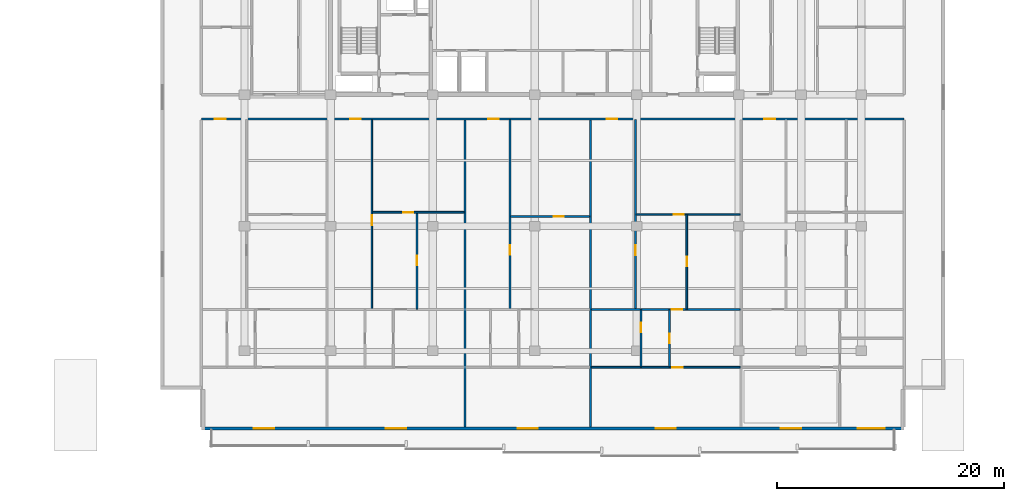
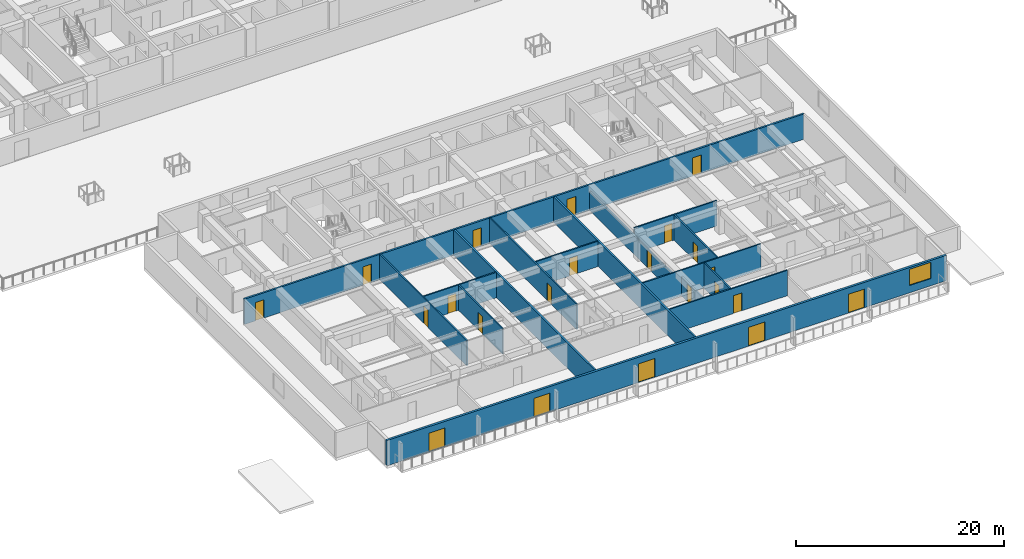
# One storey, part 5 of 24: 22 doors, 16 walls, 1 window, 23 openings.
"""IFC4 building model written with IfcOpenShell, lengths in metres."""

import ifcopenshell
import ifcopenshell.guid

model = None  # the IFC model being written
_history = None  # IfcOwnerHistory: only IFC2X3 demands one
_inside = {}  # id of a spatial element -> (the spatial element, [elements in it])
_under = {}  # id of a project, library or spatial element -> (it, [spatial elements below it])
_declared = {}  # id of a project -> (the project, [libraries it declares])
_typed = {}  # id of a type object -> (the type object, [elements of that type])
_made_of = {}  # id of a material, layer set ... -> (it, [elements and type objects made of it])


def new_model(schema):
    """Start an empty IFC model of exactly this schema.

    Asked for "IFC4X3", IfcOpenShell would pick the latest addendum, in which some entities
    have other attributes; the version numbers below select the first issue.
    IFC2X3 requires an IfcOwnerHistory on every rooted entity: one is made here for all.
    """
    global model, _history
    if schema == "IFC4X3":
        model = ifcopenshell.file(schema_version=(4, 3, 0, 0))
    else:
        model = ifcopenshell.file(schema=schema)
    _inside.clear()
    _under.clear()
    _declared.clear()
    _typed.clear()
    _made_of.clear()
    _history = None
    if model.schema == "IFC2X3":
        org = make("IfcOrganization", Name="unknown")
        user = make(
            "IfcPersonAndOrganization",
            ThePerson=make("IfcPerson", FamilyName="unknown"),
            TheOrganization=org,
        )
        app = make(
            "IfcApplication",
            ApplicationDeveloper=org,
            Version="unknown",
            ApplicationFullName="unknown",
            ApplicationIdentifier="unknown",
        )
        _history = make(
            "IfcOwnerHistory",
            OwningUser=user,
            OwningApplication=app,
            ChangeAction="ADDED",
            CreationDate=0,
        )
    return model


def make(cls, **values):
    """One entity of the class cls with the attributes given. An attribute that is None is left unset."""
    return model.create_entity(
        cls, **{name: value for name, value in values.items() if value is not None}
    )


def rooted(cls, **values):
    """An entity with a GlobalId (a new one), such as an element, a storey or a relation."""
    return make(cls, GlobalId=ifcopenshell.guid.new(), OwnerHistory=_history, **values)


def si_unit(unit_type, name, prefix=None):
    """IfcSIUnit, for example si_unit("LENGTHUNIT", "METRE", prefix="MILLI")."""
    return make("IfcSIUnit", UnitType=unit_type, Prefix=prefix, Name=name)


def assignment(units):
    """IfcUnitAssignment: the units of a project."""
    return None if units is None else make("IfcUnitAssignment", Units=units)


def point(xyz):
    """IfcCartesianPoint."""
    return None if xyz is None else make("IfcCartesianPoint", Coordinates=xyz)


def direction(xyz):
    """IfcDirection."""
    return None if xyz is None else make("IfcDirection", DirectionRatios=xyz)


def frame(location, z_axis=None, x_axis=None):
    """IfcAxis2Placement3D, a coordinate frame: its origin and axes. An axis left out is left unset."""
    return make(
        "IfcAxis2Placement3D",
        Location=point(location),
        Axis=direction(z_axis),
        RefDirection=direction(x_axis),
    )


def frame_2d(location, x_axis=None):
    """IfcAxis2Placement2D, a coordinate frame in the plane: its origin and x axis."""
    return make(
        "IfcAxis2Placement2D", Location=point(location), RefDirection=direction(x_axis)
    )


def origin():
    """The frame at (0, 0, 0) with its axes left unset."""
    return frame((0.0, 0.0, 0.0))


def place(relative_to, where):
    """IfcLocalPlacement: puts the frame where relative to a parent placement (None: the world)."""
    return make(
        "IfcLocalPlacement", PlacementRelTo=relative_to, RelativePlacement=where
    )


def context(
    kind, dimensions, precision=None, world=None, true_north=None, identifier=None
):
    """IfcGeometricRepresentationContext, for example the 3D "Model" context."""
    return make(
        "IfcGeometricRepresentationContext",
        ContextIdentifier=identifier,
        ContextType=kind,
        CoordinateSpaceDimension=dimensions,
        Precision=precision,
        WorldCoordinateSystem=world,
        TrueNorth=true_north,
    )


def subcontext(parent, identifier, kind, view, scale=None):
    """IfcGeometricRepresentationSubContext, for example "Body" below "Model"."""
    return make(
        "IfcGeometricRepresentationSubContext",
        ContextIdentifier=identifier,
        ContextType=kind,
        ParentContext=parent,
        TargetScale=scale,
        TargetView=view,
    )


def project(units=None, contexts=None):
    """IfcProject with its units and contexts."""
    return rooted(
        "IfcProject",
        Name="project",
        RepresentationContexts=contexts,
        UnitsInContext=assignment(units),
    )


def spatial(cls, under=None, at=None, **own):
    """A site, building, storey or space (cls), placed at a placement, below another one or the project."""
    s = rooted(cls, ObjectPlacement=at, **own)
    if under is not None:
        _under.setdefault(under.id(), (under, []))[1].append(s)
    return s


def profile(cls, at=None, kind="AREA", **sizes):
    """A parametric profile (cls). Its sizes go by their IFC names, for example OverallWidth=200.0."""
    return make(cls, ProfileType=kind, Position=at, **sizes)


def rectangle(**sizes):
    """IfcRectangleProfileDef."""
    return profile("IfcRectangleProfileDef", **sizes)


def extrude(swept, where, along, depth):
    """IfcExtrudedAreaSolid: the profile swept, set in the frame where, extruded along a direction by depth."""
    return make(
        "IfcExtrudedAreaSolid",
        SweptArea=swept,
        Position=where,
        ExtrudedDirection=direction(along),
        Depth=depth,
    )


def shape(context_of_items, identifier, shape_type, items):
    """IfcShapeRepresentation: the items that make up one representation, for example the "Body"."""
    return make(
        "IfcShapeRepresentation",
        ContextOfItems=context_of_items,
        RepresentationIdentifier=identifier,
        RepresentationType=shape_type,
        Items=items,
    )


def material(Name=None, Category=None):
    """IfcMaterial."""
    return make("IfcMaterial", Name=Name, Category=Category)


def layer(
    of_material, thickness, ventilated=None, Name=None, Category=None, Priority=None
):
    """IfcMaterialLayer: one layer of a wall or slab, of a material (None: an air gap)."""
    return make(
        "IfcMaterialLayer",
        Material=of_material,
        LayerThickness=thickness,
        IsVentilated=ventilated,
        Name=Name,
        Category=Category,
        Priority=Priority,
    )


def layer_set(layers, Name=None):
    """IfcMaterialLayerSet."""
    return make("IfcMaterialLayerSet", MaterialLayers=layers, LayerSetName=Name)


def made_of(thing, what):
    """Note that an element or type object is made of a material, layer set ...; save() writes the relation."""
    if what is not None:
        _made_of.setdefault(what.id(), (what, []))[1].append(thing)
    return thing


def type_object(cls, material=None, **own):
    """A type object (cls), such as IfcWallType, which elements share."""
    return made_of(rooted(cls, **own), material)


def element(
    cls,
    number,
    at=None,
    inside=None,
    cuts=None,
    type_object=None,
    material=None,
    context=None,
    identifier="Body",
    shape_type=None,
    held_by="IfcProductDefinitionShape",
    body=None,
    shapes=None,
    **own,
):
    """One element of the class cls, such as IfcWall. Its Tag is "e" and its number.

    at: its placement. inside: the storey or other place that contains it. cuts: it is an
    opening in that element (IfcRelVoidsElement). A single representation is given by context,
    identifier, shape_type and body (its items); several are given by shapes. held_by: the class
    of the entity that holds the representations. save() writes the other relations.
    """
    e = rooted(cls, Tag="e%d" % number, ObjectPlacement=at, **own)
    if body is not None:
        shapes = [shape(context, identifier, shape_type, body)]
    if shapes is not None:
        e.Representation = make(held_by, Representations=shapes)
    if inside is not None:
        _inside.setdefault(inside.id(), (inside, []))[1].append(e)
    if cuts is not None:
        rooted(
            "IfcRelVoidsElement", RelatingBuildingElement=cuts, RelatedOpeningElement=e
        )
    if type_object is not None:
        _typed.setdefault(type_object.id(), (type_object, []))[1].append(e)
    return made_of(e, material)


def fill(opening, filler):
    """IfcRelFillsElement: the door or window that sits in an opening."""
    return rooted(
        "IfcRelFillsElement",
        RelatingOpeningElement=opening,
        RelatedBuildingElement=filler,
    )


def aggregate(whole, parts):
    """IfcRelAggregates: a whole, such as a stair, and the parts it consists of."""
    return rooted("IfcRelAggregates", RelatingObject=whole, RelatedObjects=parts)


def save(model, path):
    """Write the relations noted so far, then the file.

    IfcRelAggregates (storeys below a building ...), IfcRelContainedInSpatialStructure (elements
    in a storey), IfcRelDefinesByType, IfcRelAssociatesMaterial and IfcRelDeclares: one each for
    every whole, place, type object, material and project.
    """
    for whole, parts in _under.values():
        aggregate(whole, parts)
    for where, things in _inside.values():
        rooted(
            "IfcRelContainedInSpatialStructure",
            RelatedElements=things,
            RelatingStructure=where,
        )
    for kind, things in _typed.values():
        rooted("IfcRelDefinesByType", RelatedObjects=things, RelatingType=kind)
    for what, things in _made_of.values():
        rooted("IfcRelAssociatesMaterial", RelatedObjects=things, RelatingMaterial=what)
    for by, libraries in _declared.values():
        rooted("IfcRelDeclares", RelatingContext=by, RelatedDefinitions=libraries)
    model.write(path)


model = new_model("IFC4")

# Units and contexts
model_context = context("Model", 3, precision=1e-05, world=origin(), true_north=direction((0.0, 1.0)))
body_context = subcontext(model_context, "Body", "Model", "MODEL_VIEW")
ifc_project = project(units=[si_unit("LENGTHUNIT", "METRE"), si_unit("AREAUNIT", "SQUARE_METRE"), si_unit("VOLUMEUNIT", "CUBIC_METRE"), si_unit("PLANEANGLEUNIT", "RADIAN"), si_unit("MASSUNIT", "GRAM", prefix="KILO")], contexts=[model_context])

# Site, building, storey
site_placement = place(None, origin())
site = spatial("IfcSite", under=ifc_project, at=site_placement, CompositionType="ELEMENT")
building_placement = place(site_placement, origin())
building = spatial("IfcBuilding", under=site, at=building_placement, Name="Korimba Cascade Residences", CompositionType="ELEMENT")
storey_placement = place(building_placement, frame((0.0, 0.0, 24.0)))
storey = spatial("IfcBuildingStorey", under=building, at=storey_placement, Name="L05", CompositionType="ELEMENT", Elevation=24.0)

# Wall, openings, doors, window
ifc_material_1 = material(Name="Precast concrete C40/50", Category="concrete")
ifc_layer_1 = layer(ifc_material_1, 0.25)
ifc_layer_set_1 = layer_set([ifc_layer_1], Name="Precast concrete C40/50")
wall_type_1 = type_object("IfcWallType", Name="EW-LOG-250", PredefinedType="STANDARD", material=ifc_layer_set_1)
wall_1_placement = place(storey_placement, frame((70.699951171875, -11.050048828125, 0.0), z_axis=(0.0, 0.0, 1.0), x_axis=(1.0, 0.0, 0.0)))
wall_1 = element("IfcWall", 1, at=wall_1_placement, inside=storey, type_object=wall_type_1, Name="L05 T2 Perimeter Stone Wall E00", PredefinedType="STANDARD", context=body_context, shape_type="SweptSolid", body=[
    extrude(rectangle(XDim=62.0, YDim=0.25, at=frame_2d((31.0, 0.0))), origin(), (0.0, 0.0, 1.0), 2.969970703125),
])
opening_1_placement = place(wall_1_placement, frame((4.6357421875, 0.0, 0.0)))
opening_1 = element("IfcOpeningElement", 2, at=opening_1_placement, cuts=wall_1, Name="Opening D-LG1", PredefinedType="OPENING", context=body_context, shape_type="SweptSolid", body=[
    extrude(rectangle(XDim=1.800048828125, YDim=2.199951171875, at=frame_2d((0.89990234375, 1.10009765625))), frame((0.0, 0.135009765625, 0.0), z_axis=(0.0, -1.0, 0.0), x_axis=(1.0, 0.0, 0.0)), (0.0, 0.0, 1.0), 0.27001953125),
])
opening_2_placement = place(wall_1_placement, frame((16.2607421875, 0.0, 0.0)))
opening_2 = element("IfcOpeningElement", 3, at=opening_2_placement, cuts=wall_1, Name="Opening D-LG1", PredefinedType="OPENING", context=body_context, shape_type="SweptSolid", body=[
    extrude(rectangle(XDim=1.800048828125, YDim=2.199951171875, at=frame_2d((0.89990234375, 1.10009765625))), frame((0.0, 0.135009765625, 0.0), z_axis=(0.0, -1.0, 0.0), x_axis=(1.0, 0.0, 0.0)), (0.0, 0.0, 1.0), 0.27001953125),
])
opening_3_placement = place(wall_1_placement, frame((27.8857421875, 0.0, 0.0)))
opening_3 = element("IfcOpeningElement", 4, at=opening_3_placement, cuts=wall_1, Name="Opening D-LG1", PredefinedType="OPENING", context=body_context, shape_type="SweptSolid", body=[
    extrude(rectangle(XDim=1.800048828125, YDim=2.199951171875, at=frame_2d((0.89990234375, 1.10009765625))), frame((0.0, 0.135009765625, 0.0), z_axis=(0.0, -1.0, 0.0), x_axis=(1.0, 0.0, 0.0)), (0.0, 0.0, 1.0), 0.27001953125),
])
opening_4_placement = place(wall_1_placement, frame((40.064208984375, 0.0, 0.0)))
opening_4 = element("IfcOpeningElement", 5, at=opening_4_placement, cuts=wall_1, Name="Opening D-LG1", PredefinedType="OPENING", context=body_context, shape_type="SweptSolid", body=[
    extrude(rectangle(XDim=1.800048828125, YDim=2.199951171875, at=frame_2d((0.89990234375, 1.10009765625))), frame((0.0, 0.135009765625, 0.0), z_axis=(0.0, -1.0, 0.0), x_axis=(1.0, 0.0, 0.0)), (0.0, 0.0, 1.0), 0.27001953125),
])
opening_5_placement = place(wall_1_placement, frame((51.12353515625, 0.0, 0.0)))
opening_5 = element("IfcOpeningElement", 6, at=opening_5_placement, cuts=wall_1, Name="Opening D-LG1", PredefinedType="OPENING", context=body_context, shape_type="SweptSolid", body=[
    extrude(rectangle(XDim=1.800048828125, YDim=2.199951171875, at=frame_2d((0.89990234375, 1.10009765625))), frame((0.0, 0.135009765625, 0.0), z_axis=(0.0, -1.0, 0.0), x_axis=(1.0, 0.0, 0.0)), (0.0, 0.0, 1.0), 0.27001953125),
])
opening_6_placement = place(wall_1_placement, frame((57.89990234375, 0.0, 0.85009765625)))
opening_6 = element("IfcOpeningElement", 7, at=opening_6_placement, cuts=wall_1, Name="Opening W-01", PredefinedType="OPENING", context=body_context, shape_type="SweptSolid", body=[
    extrude(rectangle(XDim=2.39990234375, YDim=1.89990234375, at=frame_2d((1.199951171875, 0.949951171875))), frame((0.0, 0.135009765625, 0.0), z_axis=(0.0, -1.0, 0.0), x_axis=(1.0, 0.0, 0.0)), (0.0, 0.0, 1.0), 0.27001953125),
])
ifc_material_2 = material(Name="Glazed Aluminium Loggia Sliding Door", Category="aluminium")
door_type_1 = type_object("IfcDoorType", Name="DR-EXT-LOG", OperationType="NOTDEFINED", PredefinedType="DOOR", material=ifc_material_2)
door_1_placement = place(opening_1_placement, origin())
door_1 = element("IfcDoor", 8, at=door_1_placement, inside=storey, type_object=door_type_1, Name="L05 T2 Loggia Sliding Door 3", OperationType="SLIDING_TO_RIGHT", OverallHeight=2.199951171875, OverallWidth=1.800048828125, PredefinedType="DOOR", context=body_context, shape_type="SweptSolid", body=[
    extrude(rectangle(XDim=1.800048828125, YDim=2.199951171875, at=frame_2d((0.89990234375, 1.10009765625))), frame((0.0, 0.02490234375, 0.0), z_axis=(0.0, -1.0, 0.0), x_axis=(1.0, 0.0, 0.0)), (0.0, 0.0, 1.0), 0.050048828125),
])
fill(opening_1, door_1)
door_2_placement = place(opening_2_placement, origin())
door_2 = element("IfcDoor", 9, at=door_2_placement, inside=storey, type_object=door_type_1, Name="L05 T2 Loggia Sliding Door 4", OperationType="SLIDING_TO_RIGHT", OverallHeight=2.199951171875, OverallWidth=1.800048828125, PredefinedType="DOOR", context=body_context, shape_type="SweptSolid", body=[
    extrude(rectangle(XDim=1.800048828125, YDim=2.199951171875, at=frame_2d((0.89990234375, 1.10009765625))), frame((0.0, 0.02490234375, 0.0), z_axis=(0.0, -1.0, 0.0), x_axis=(1.0, 0.0, 0.0)), (0.0, 0.0, 1.0), 0.050048828125),
])
fill(opening_2, door_2)
door_3_placement = place(opening_3_placement, origin())
door_3 = element("IfcDoor", 10, at=door_3_placement, inside=storey, type_object=door_type_1, Name="L05 T2 Loggia Sliding Door 5", OperationType="SLIDING_TO_RIGHT", OverallHeight=2.199951171875, OverallWidth=1.800048828125, PredefinedType="DOOR", context=body_context, shape_type="SweptSolid", body=[
    extrude(rectangle(XDim=1.800048828125, YDim=2.199951171875, at=frame_2d((0.89990234375, 1.10009765625))), frame((0.0, 0.02490234375, 0.0), z_axis=(0.0, -1.0, 0.0), x_axis=(1.0, 0.0, 0.0)), (0.0, 0.0, 1.0), 0.050048828125),
])
fill(opening_3, door_3)
door_4_placement = place(opening_4_placement, origin())
door_4 = element("IfcDoor", 11, at=door_4_placement, inside=storey, type_object=door_type_1, Name="L05 T2 Loggia Sliding Door 6", OperationType="SLIDING_TO_RIGHT", OverallHeight=2.199951171875, OverallWidth=1.800048828125, PredefinedType="DOOR", context=body_context, shape_type="SweptSolid", body=[
    extrude(rectangle(XDim=1.800048828125, YDim=2.199951171875, at=frame_2d((0.89990234375, 1.10009765625))), frame((0.0, 0.02490234375, 0.0), z_axis=(0.0, -1.0, 0.0), x_axis=(1.0, 0.0, 0.0)), (0.0, 0.0, 1.0), 0.050048828125),
])
fill(opening_4, door_4)
door_5_placement = place(opening_5_placement, origin())
door_5 = element("IfcDoor", 12, at=door_5_placement, inside=storey, type_object=door_type_1, Name="L05 T2 Loggia Sliding Door 7", OperationType="SLIDING_TO_RIGHT", OverallHeight=2.199951171875, OverallWidth=1.800048828125, PredefinedType="DOOR", context=body_context, shape_type="SweptSolid", body=[
    extrude(rectangle(XDim=1.800048828125, YDim=2.199951171875, at=frame_2d((0.89990234375, 1.10009765625))), frame((0.0, 0.02490234375, 0.0), z_axis=(0.0, -1.0, 0.0), x_axis=(1.0, 0.0, 0.0)), (0.0, 0.0, 1.0), 0.050048828125),
])
fill(opening_5, door_5)
ifc_material_3 = material(Name="Double-Glazed Aluminium Window", Category="aluminium")
window_type = type_object("IfcWindowType", Name="WIN-RES-2400", PartitioningType="DOUBLE_PANEL_VERTICAL", PredefinedType="WINDOW", material=ifc_material_3)
window_placement = place(opening_6_placement, origin())
window = element("IfcWindow", 13, at=window_placement, inside=storey, type_object=window_type, Name="L05 T2 South Facade Window 8", OverallHeight=1.89990234375, OverallWidth=2.39990234375, PartitioningType="DOUBLE_PANEL_VERTICAL", PredefinedType="WINDOW", context=body_context, shape_type="SweptSolid", body=[
    extrude(rectangle(XDim=2.39990234375, YDim=1.89990234375, at=frame_2d((1.199951171875, 0.949951171875))), frame((0.0, 0.030029296875, 0.0), z_axis=(0.0, -1.0, 0.0), x_axis=(1.0, 0.0, 0.0)), (0.0, 0.0, 1.0), 0.06005859375),
])
fill(opening_6, window)

# Walls
ifc_layer_2 = layer(ifc_material_1, 0.199951171875)
ifc_layer_set_2 = layer_set([ifc_layer_2], Name="Precast concrete C40/50")
wall_type_2 = type_object("IfcWallType", Name="WAL-IT-200", PredefinedType="PARTITIONING", material=ifc_layer_set_2)
for number, where, z_axis, x_axis, name in (
    (14, (93.949951171875, -10.89990234375, 0.0), (0.0, 0.0, 1.0), (0.0, 1.0, 0.0), "L05 Partition Wall WAL-L05-T2-DEM-2"),
    (15, (105.021484375, -10.89990234375, 0.0), (0.0, 0.0, 1.0), (0.0, 1.0, 0.0), "L05 Partition Wall WAL-L05-T2-DEM-3"),
):
    element("IfcWall", number, at=place(storey_placement, frame(where, z_axis=z_axis, x_axis=x_axis)), inside=storey, type_object=wall_type_2, Name=name, PredefinedType="PARTITIONING", context=body_context, shape_type="SweptSolid", body=[
        extrude(rectangle(XDim=27.06982421875, YDim=0.199951171875, at=frame_2d((13.534912109375, 0.0))), origin(), (0.0, 0.0, 1.0), 2.969970703125),
    ])

# Wall, openings, doors
wall_2_placement = place(storey_placement, frame((70.699951171875, 16.25, 0.0), z_axis=(0.0, 0.0, 1.0), x_axis=(1.0, 0.0, 0.0)))
wall_2 = element("IfcWall", 16, at=wall_2_placement, inside=storey, type_object=wall_type_2, Name="L05 Partition Wall WAL-L05-T2-CORS", PredefinedType="PARTITIONING", context=body_context, shape_type="SweptSolid", body=[
    extrude(rectangle(XDim=62.0, YDim=0.199951171875, at=frame_2d((31.0, 0.0))), origin(), (0.0, 0.0, 1.0), 2.969970703125),
])
opening_7_placement = place(wall_2_placement, frame((1.18603515625, 0.0, 0.0)))
opening_7 = element("IfcOpeningElement", 17, at=opening_7_placement, cuts=wall_2, Name="Opening D-UN1", PredefinedType="OPENING", context=body_context, shape_type="SweptSolid", body=[
    extrude(rectangle(XDim=0.949951171875, YDim=2.14990234375, at=frame_2d((0.47509765625, 1.074951171875))), frame((0.0, 0.10986328125, 0.0), z_axis=(0.0, -1.0, 0.0), x_axis=(1.0, 0.0, 0.0)), (0.0, 0.0, 1.0), 0.219970703125),
])
opening_8_placement = place(wall_2_placement, frame((13.116455078125, 0.0, 0.0)))
opening_8 = element("IfcOpeningElement", 18, at=opening_8_placement, cuts=wall_2, Name="Opening D-UN1", PredefinedType="OPENING", context=body_context, shape_type="SweptSolid", body=[
    extrude(rectangle(XDim=0.949951171875, YDim=2.14990234375, at=frame_2d((0.47509765625, 1.074951171875))), frame((0.0, 0.10986328125, 0.0), z_axis=(0.0, -1.0, 0.0), x_axis=(1.0, 0.0, 0.0)), (0.0, 0.0, 1.0), 0.219970703125),
])
opening_9_placement = place(wall_2_placement, frame((25.294921875, 0.0, 0.0)))
opening_9 = element("IfcOpeningElement", 19, at=opening_9_placement, cuts=wall_2, Name="Opening D-UN1", PredefinedType="OPENING", context=body_context, shape_type="SweptSolid", body=[
    extrude(rectangle(XDim=0.949951171875, YDim=2.14990234375, at=frame_2d((0.47509765625, 1.074951171875))), frame((0.0, 0.10986328125, 0.0), z_axis=(0.0, -1.0, 0.0), x_axis=(1.0, 0.0, 0.0)), (0.0, 0.0, 1.0), 0.219970703125),
])
opening_10_placement = place(wall_2_placement, frame((35.747314453125, 0.0, 0.0)))
opening_10 = element("IfcOpeningElement", 20, at=opening_10_placement, cuts=wall_2, Name="Opening D-UN1", PredefinedType="OPENING", context=body_context, shape_type="SweptSolid", body=[
    extrude(rectangle(XDim=0.949951171875, YDim=2.14990234375, at=frame_2d((0.47509765625, 1.074951171875))), frame((0.0, 0.10986328125, 0.0), z_axis=(0.0, -1.0, 0.0), x_axis=(1.0, 0.0, 0.0)), (0.0, 0.0, 1.0), 0.219970703125),
])
opening_11_placement = place(wall_2_placement, frame((49.652099609375, 0.0, 0.0)))
opening_11 = element("IfcOpeningElement", 21, at=opening_11_placement, cuts=wall_2, Name="Opening D-UN1", PredefinedType="OPENING", context=body_context, shape_type="SweptSolid", body=[
    extrude(rectangle(XDim=0.949951171875, YDim=2.14990234375, at=frame_2d((0.47509765625, 1.074951171875))), frame((0.0, 0.10986328125, 0.0), z_axis=(0.0, -1.0, 0.0), x_axis=(1.0, 0.0, 0.0)), (0.0, 0.0, 1.0), 0.219970703125),
])
ifc_material_4 = material(Name="Fire-Rated Hardwood Apartment Entrance Door", Category="wood")
door_type_2 = type_object("IfcDoorType", Name="DR-FD60-950", OperationType="NOTDEFINED", PredefinedType="DOOR", material=ifc_material_4)
door_6_placement = place(opening_7_placement, origin())
door_6 = element("IfcDoor", 22, at=door_6_placement, inside=storey, type_object=door_type_2, Name="Unit L05-T2-U01 Entrance Door", OperationType="SINGLE_SWING_LEFT", OverallHeight=2.14990234375, OverallWidth=0.949951171875, PredefinedType="DOOR", context=body_context, shape_type="SweptSolid", body=[
    extrude(rectangle(XDim=0.949951171875, YDim=2.14990234375, at=frame_2d((0.47509765625, 1.074951171875))), frame((0.0, 0.02490234375, 0.0), z_axis=(0.0, -1.0, 0.0), x_axis=(1.0, 0.0, 0.0)), (0.0, 0.0, 1.0), 0.050048828125),
])
fill(opening_7, door_6)
door_7_placement = place(opening_8_placement, origin())
door_7 = element("IfcDoor", 23, at=door_7_placement, inside=storey, type_object=door_type_2, Name="Unit L05-T2-U02 Entrance Door", OperationType="SINGLE_SWING_RIGHT", OverallHeight=2.14990234375, OverallWidth=0.949951171875, PredefinedType="DOOR", context=body_context, shape_type="SweptSolid", body=[
    extrude(rectangle(XDim=0.949951171875, YDim=2.14990234375, at=frame_2d((0.47509765625, 1.074951171875))), frame((0.0, 0.02490234375, 0.0), z_axis=(0.0, -1.0, 0.0), x_axis=(1.0, 0.0, 0.0)), (0.0, 0.0, 1.0), 0.050048828125),
])
fill(opening_8, door_7)
door_8_placement = place(opening_9_placement, origin())
door_8 = element("IfcDoor", 24, at=door_8_placement, inside=storey, type_object=door_type_2, Name="Unit L05-T2-U03 Entrance Door", OperationType="SINGLE_SWING_LEFT", OverallHeight=2.14990234375, OverallWidth=0.949951171875, PredefinedType="DOOR", context=body_context, shape_type="SweptSolid", body=[
    extrude(rectangle(XDim=0.949951171875, YDim=2.14990234375, at=frame_2d((0.47509765625, 1.074951171875))), frame((0.0, 0.02490234375, 0.0), z_axis=(0.0, -1.0, 0.0), x_axis=(1.0, 0.0, 0.0)), (0.0, 0.0, 1.0), 0.050048828125),
])
fill(opening_9, door_8)
door_9_placement = place(opening_10_placement, origin())
door_9 = element("IfcDoor", 25, at=door_9_placement, inside=storey, type_object=door_type_2, Name="Unit L05-T2-U04 Entrance Door", OperationType="SINGLE_SWING_RIGHT", OverallHeight=2.14990234375, OverallWidth=0.949951171875, PredefinedType="DOOR", context=body_context, shape_type="SweptSolid", body=[
    extrude(rectangle(XDim=0.949951171875, YDim=2.14990234375, at=frame_2d((0.47509765625, 1.074951171875))), frame((0.0, 0.02490234375, 0.0), z_axis=(0.0, -1.0, 0.0), x_axis=(1.0, 0.0, 0.0)), (0.0, 0.0, 1.0), 0.050048828125),
])
fill(opening_10, door_9)
door_10_placement = place(opening_11_placement, origin())
door_10 = element("IfcDoor", 26, at=door_10_placement, inside=storey, type_object=door_type_2, Name="Unit L05-T2-U05 Entrance Door", OperationType="SINGLE_SWING_LEFT", OverallHeight=2.14990234375, OverallWidth=0.949951171875, PredefinedType="DOOR", context=body_context, shape_type="SweptSolid", body=[
    extrude(rectangle(XDim=0.949951171875, YDim=2.14990234375, at=frame_2d((0.47509765625, 1.074951171875))), frame((0.0, 0.02490234375, 0.0), z_axis=(0.0, -1.0, 0.0), x_axis=(1.0, 0.0, 0.0)), (0.0, 0.0, 1.0), 0.050048828125),
])
fill(opening_11, door_10)

# Wall, opening, door
ifc_material_5 = material(Name="Insulated Acoustic Stud Partition", Category="gypsum")
ifc_layer_3 = layer(ifc_material_5, 0.14990234375)
ifc_layer_set_3 = layer_set([ifc_layer_3], Name="Insulated Acoustic Stud Partition")
wall_type_3 = type_object("IfcWallType", Name="WAL-PART-150", PredefinedType="PARTITIONING", material=ifc_layer_set_3)
wall_3_placement = place(storey_placement, frame((89.7158203125, -0.510009765625, 0.0), z_axis=(0.0, 0.0, 1.0), x_axis=(0.0, 1.0, 0.0)))
wall_3 = element("IfcWall", 27, at=wall_3_placement, inside=storey, type_object=wall_type_3, Name="L05 Partition Wall WAL-L05-T2-U02-FMV", PredefinedType="PARTITIONING", context=body_context, shape_type="SweptSolid", body=[
    extrude(rectangle(XDim=8.530029296875, YDim=0.14990234375, at=frame_2d((4.26513671875, 0.0))), origin(), (0.0, 0.0, 1.0), 2.969970703125),
])
opening_12_placement = place(wall_3_placement, frame((3.844970703125, 0.0, 0.0)))
opening_12 = element("IfcOpeningElement", 28, at=opening_12_placement, cuts=wall_3, Name="Opening D-BT1", PredefinedType="OPENING", context=body_context, shape_type="SweptSolid", body=[
    extrude(rectangle(XDim=0.840087890625, YDim=2.0400390625, at=frame_2d((0.419921875, 1.02001953125))), frame((0.0, 0.0849609375, 0.0), z_axis=(0.0, -1.0, 0.0), x_axis=(1.0, 0.0, 0.0)), (0.0, 0.0, 1.0), 0.169921875),
])
ifc_material_6 = material(Name="Moisture-Resistant Bathroom Timber Door", Category="wood")
door_type_3 = type_object("IfcDoorType", Name="DR-INT-850", OperationType="NOTDEFINED", PredefinedType="DOOR", material=ifc_material_6)
door_11_placement = place(opening_12_placement, origin())
door_11 = element("IfcDoor", 29, at=door_11_placement, inside=storey, type_object=door_type_3, Name="L05-T2-U02 Wardrobe Door", OperationType="SINGLE_SWING_RIGHT", OverallHeight=2.0400390625, OverallWidth=0.840087890625, PredefinedType="DOOR", context=body_context, shape_type="SweptSolid", body=[
    extrude(rectangle(XDim=0.840087890625, YDim=2.0400390625, at=frame_2d((0.419921875, 1.02001953125))), frame((0.0, 0.02490234375, 0.0), z_axis=(0.0, -1.0, 0.0), x_axis=(1.0, 0.0, 0.0)), (0.0, 0.0, 1.0), 0.050048828125),
])
fill(opening_12, door_11)

wall_4_placement = place(storey_placement, frame((85.801513671875, 8.02001953125, 0.0), z_axis=(0.0, 0.0, 1.0), x_axis=(1.0, 0.0, 0.0)))
wall_4 = element("IfcWall", 30, at=wall_4_placement, inside=storey, type_object=wall_type_3, Name="L05 Partition Wall WAL-L05-T2-U02-FMH", PredefinedType="PARTITIONING", context=body_context, shape_type="SweptSolid", body=[
    extrude(rectangle(XDim=8.068603515625, YDim=0.14990234375, at=frame_2d((4.0341796875, 0.0))), origin(), (0.0, 0.0, 1.0), 2.969970703125),
])
opening_13_placement = place(wall_4_placement, frame((2.7158203125, 0.0, 0.0)))
opening_13 = element("IfcOpeningElement", 31, at=opening_13_placement, cuts=wall_4, Name="Opening D-IN2", PredefinedType="OPENING", context=body_context, shape_type="SweptSolid", body=[
    extrude(rectangle(XDim=0.8798828125, YDim=2.06005859375, at=frame_2d((0.43994140625, 1.030029296875))), frame((0.0, 0.0849609375, 0.0), z_axis=(0.0, -1.0, 0.0), x_axis=(1.0, 0.0, 0.0)), (0.0, 0.0, 1.0), 0.169921875),
])
ifc_material_7 = material(Name="Acoustic Timber Bedroom Door", Category="wood")
door_type_4 = type_object("IfcDoorType", Name="DR-INT-880", OperationType="NOTDEFINED", PredefinedType="DOOR", material=ifc_material_7)
door_12_placement = place(opening_13_placement, origin())
door_12 = element("IfcDoor", 32, at=door_12_placement, inside=storey, type_object=door_type_4, Name="L05-T2-U02 Library Salon Door", OperationType="SINGLE_SWING_LEFT", OverallHeight=2.06005859375, OverallWidth=0.8798828125, PredefinedType="DOOR", context=body_context, shape_type="SweptSolid", body=[
    extrude(rectangle(XDim=0.8798828125, YDim=2.06005859375, at=frame_2d((0.43994140625, 1.030029296875))), frame((0.0, 0.02490234375, 0.0), z_axis=(0.0, -1.0, 0.0), x_axis=(1.0, 0.0, 0.0)), (0.0, 0.0, 1.0), 0.050048828125),
])
fill(opening_13, door_12)

wall_5_placement = place(storey_placement, frame((85.741455078125, -0.510009765625, 0.0), z_axis=(0.0, 0.0, 1.0), x_axis=(0.0, 1.0, 0.0)))
wall_5 = element("IfcWall", 33, at=wall_5_placement, inside=storey, type_object=wall_type_3, Name="L05 Partition Wall WAL-L05-T2-U02-FV", PredefinedType="PARTITIONING", context=body_context, shape_type="SweptSolid", body=[
    extrude(rectangle(XDim=16.699951171875, YDim=0.14990234375, at=frame_2d((8.35009765625, 0.0))), origin(), (0.0, 0.0, 1.0), 2.969970703125),
])
opening_14_placement = place(wall_5_placement, frame((7.39990234375, 0.0, 0.0)))
opening_14 = element("IfcOpeningElement", 34, at=opening_14_placement, cuts=wall_5, Name="Opening D-IN2", PredefinedType="OPENING", context=body_context, shape_type="SweptSolid", body=[
    extrude(rectangle(XDim=0.8798828125, YDim=2.06005859375, at=frame_2d((0.43994140625, 1.030029296875))), frame((0.0, 0.0849609375, 0.0), z_axis=(0.0, -1.0, 0.0), x_axis=(1.0, 0.0, 0.0)), (0.0, 0.0, 1.0), 0.169921875),
])
door_13_placement = place(opening_14_placement, origin())
door_13 = element("IfcDoor", 35, at=door_13_placement, inside=storey, type_object=door_type_4, Name="L05-T2-U02 Media Lounge Door", OperationType="SINGLE_SWING_RIGHT", OverallHeight=2.06005859375, OverallWidth=0.8798828125, PredefinedType="DOOR", context=body_context, shape_type="SweptSolid", body=[
    extrude(rectangle(XDim=0.8798828125, YDim=2.06005859375, at=frame_2d((0.43994140625, 1.030029296875))), frame((0.0, 0.02490234375, 0.0), z_axis=(0.0, -1.0, 0.0), x_axis=(1.0, 0.0, 0.0)), (0.0, 0.0, 1.0), 0.050048828125),
])
fill(opening_14, door_13)

wall_6_placement = place(storey_placement, frame((97.97998046875, 7.659912109375, 0.0), z_axis=(0.0, 0.0, 1.0), x_axis=(1.0, 0.0, 0.0)))
wall_6 = element("IfcWall", 36, at=wall_6_placement, inside=storey, type_object=wall_type_3, Name="L05 Partition Wall WAL-L05-T2-U03-FMH", PredefinedType="PARTITIONING", context=body_context, shape_type="SweptSolid", body=[
    extrude(rectangle(XDim=6.96142578125, YDim=0.14990234375, at=frame_2d((3.480712890625, 0.0))), origin(), (0.0, 0.0, 1.0), 2.969970703125),
])
opening_15_placement = place(wall_6_placement, frame((3.794189453125, 0.0, 0.0)))
opening_15 = element("IfcOpeningElement", 37, at=opening_15_placement, cuts=wall_6, Name="Opening D-IN2", PredefinedType="OPENING", context=body_context, shape_type="SweptSolid", body=[
    extrude(rectangle(XDim=0.8798828125, YDim=2.06005859375, at=frame_2d((0.43994140625, 1.030029296875))), frame((0.0, 0.0849609375, 0.0), z_axis=(0.0, -1.0, 0.0), x_axis=(1.0, 0.0, 0.0)), (0.0, 0.0, 1.0), 0.169921875),
])
door_14_placement = place(opening_15_placement, origin())
door_14 = element("IfcDoor", 38, at=door_14_placement, inside=storey, type_object=door_type_4, Name="L05-T2-U03 Library Salon Door", OperationType="SINGLE_SWING_LEFT", OverallHeight=2.06005859375, OverallWidth=0.8798828125, PredefinedType="DOOR", context=body_context, shape_type="SweptSolid", body=[
    extrude(rectangle(XDim=0.8798828125, YDim=2.06005859375, at=frame_2d((0.43994140625, 1.030029296875))), frame((0.0, 0.02490234375, 0.0), z_axis=(0.0, -1.0, 0.0), x_axis=(1.0, 0.0, 0.0)), (0.0, 0.0, 1.0), 0.050048828125),
])
fill(opening_15, door_14)

wall_7_placement = place(storey_placement, frame((97.919921875, -0.510009765625, 0.0), z_axis=(0.0, 0.0, 1.0), x_axis=(0.0, 1.0, 0.0)))
wall_7 = element("IfcWall", 39, at=wall_7_placement, inside=storey, type_object=wall_type_3, Name="L05 Partition Wall WAL-L05-T2-U03-FV", PredefinedType="PARTITIONING", context=body_context, shape_type="SweptSolid", body=[
    extrude(rectangle(XDim=16.699951171875, YDim=0.14990234375, at=frame_2d((8.35009765625, 0.0))), origin(), (0.0, 0.0, 1.0), 2.969970703125),
])
opening_16_placement = place(wall_7_placement, frame((4.765380859375, 0.0, 0.0)))
opening_16 = element("IfcOpeningElement", 40, at=opening_16_placement, cuts=wall_7, Name="Opening D-IN2", PredefinedType="OPENING", context=body_context, shape_type="SweptSolid", body=[
    extrude(rectangle(XDim=0.8798828125, YDim=2.06005859375, at=frame_2d((0.43994140625, 1.030029296875))), frame((0.0, 0.0849609375, 0.0), z_axis=(0.0, -1.0, 0.0), x_axis=(1.0, 0.0, 0.0)), (0.0, 0.0, 1.0), 0.169921875),
])
door_15_placement = place(opening_16_placement, origin())
door_15 = element("IfcDoor", 41, at=door_15_placement, inside=storey, type_object=door_type_4, Name="L05-T2-U03 Media Lounge Door", OperationType="SINGLE_SWING_RIGHT", OverallHeight=2.06005859375, OverallWidth=0.8798828125, PredefinedType="DOOR", context=body_context, shape_type="SweptSolid", body=[
    extrude(rectangle(XDim=0.8798828125, YDim=2.06005859375, at=frame_2d((0.43994140625, 1.030029296875))), frame((0.0, 0.02490234375, 0.0), z_axis=(0.0, -1.0, 0.0), x_axis=(1.0, 0.0, 0.0)), (0.0, 0.0, 1.0), 0.050048828125),
])
fill(opening_16, door_15)

wall_8_placement = place(storey_placement, frame((113.519287109375, -0.510009765625, 0.0), z_axis=(0.0, 0.0, 1.0), x_axis=(0.0, 1.0, 0.0)))
wall_8 = element("IfcWall", 42, at=wall_8_placement, inside=storey, type_object=wall_type_3, Name="L05 Partition Wall WAL-L05-T2-U04-FMV", PredefinedType="PARTITIONING", context=body_context, shape_type="SweptSolid", body=[
    extrude(rectangle(XDim=8.35009765625, YDim=0.14990234375, at=frame_2d((4.175048828125, 0.0))), origin(), (0.0, 0.0, 1.0), 2.969970703125),
])
opening_17_placement = place(wall_8_placement, frame((3.7548828125, 0.0, 0.0)))
opening_17 = element("IfcOpeningElement", 43, at=opening_17_placement, cuts=wall_8, Name="Opening D-BT1", PredefinedType="OPENING", context=body_context, shape_type="SweptSolid", body=[
    extrude(rectangle(XDim=0.840087890625, YDim=2.0400390625, at=frame_2d((0.419921875, 1.02001953125))), frame((0.0, 0.0849609375, 0.0), z_axis=(0.0, -1.0, 0.0), x_axis=(1.0, 0.0, 0.0)), (0.0, 0.0, 1.0), 0.169921875),
])
door_16_placement = place(opening_17_placement, origin())
door_16 = element("IfcDoor", 44, at=door_16_placement, inside=storey, type_object=door_type_3, Name="L05-T2-U04 Wardrobe Door", OperationType="SINGLE_SWING_LEFT", OverallHeight=2.0400390625, OverallWidth=0.840087890625, PredefinedType="DOOR", context=body_context, shape_type="SweptSolid", body=[
    extrude(rectangle(XDim=0.840087890625, YDim=2.0400390625, at=frame_2d((0.419921875, 1.02001953125))), frame((0.0, 0.02490234375, 0.0), z_axis=(0.0, -1.0, 0.0), x_axis=(1.0, 0.0, 0.0)), (0.0, 0.0, 1.0), 0.050048828125),
])
fill(opening_17, door_16)

wall_9_placement = place(storey_placement, frame((109.051513671875, 7.840087890625, 0.0), z_axis=(0.0, 0.0, 1.0), x_axis=(1.0, 0.0, 0.0)))
wall_9 = element("IfcWall", 45, at=wall_9_placement, inside=storey, type_object=wall_type_3, Name="L05 Partition Wall WAL-L05-T2-U04-FMH", PredefinedType="PARTITIONING", context=body_context, shape_type="SweptSolid", body=[
    extrude(rectangle(XDim=9.175537109375, YDim=0.14990234375, at=frame_2d((4.587890625, 0.0))), origin(), (0.0, 0.0, 1.0), 2.969970703125),
])
opening_18_placement = place(wall_9_placement, frame((3.307373046875, 0.0, 0.0)))
opening_18 = element("IfcOpeningElement", 46, at=opening_18_placement, cuts=wall_9, Name="Opening D-IN2", PredefinedType="OPENING", context=body_context, shape_type="SweptSolid", body=[
    extrude(rectangle(XDim=0.8798828125, YDim=2.06005859375, at=frame_2d((0.43994140625, 1.030029296875))), frame((0.0, 0.0849609375, 0.0), z_axis=(0.0, -1.0, 0.0), x_axis=(1.0, 0.0, 0.0)), (0.0, 0.0, 1.0), 0.169921875),
])
door_17_placement = place(opening_18_placement, origin())
door_17 = element("IfcDoor", 47, at=door_17_placement, inside=storey, type_object=door_type_4, Name="L05-T2-U04 Library Salon Door", OperationType="SINGLE_SWING_RIGHT", OverallHeight=2.06005859375, OverallWidth=0.8798828125, PredefinedType="DOOR", context=body_context, shape_type="SweptSolid", body=[
    extrude(rectangle(XDim=0.8798828125, YDim=2.06005859375, at=frame_2d((0.43994140625, 1.030029296875))), frame((0.0, 0.02490234375, 0.0), z_axis=(0.0, -1.0, 0.0), x_axis=(1.0, 0.0, 0.0)), (0.0, 0.0, 1.0), 0.050048828125),
])
fill(opening_18, door_17)

wall_10_placement = place(storey_placement, frame((108.991455078125, -0.510009765625, 0.0), z_axis=(0.0, 0.0, 1.0), x_axis=(0.0, 1.0, 0.0)))
wall_10 = element("IfcWall", 48, at=wall_10_placement, inside=storey, type_object=wall_type_3, Name="L05 Partition Wall WAL-L05-T2-U04-FV", PredefinedType="PARTITIONING", context=body_context, shape_type="SweptSolid", body=[
    extrude(rectangle(XDim=16.699951171875, YDim=0.14990234375, at=frame_2d((8.35009765625, 0.0))), origin(), (0.0, 0.0, 1.0), 2.219970703125),
])
opening_19_placement = place(wall_10_placement, frame((4.746826171875, 0.0, 0.0)))
opening_19 = element("IfcOpeningElement", 49, at=opening_19_placement, cuts=wall_10, Name="Opening D-IN2", PredefinedType="OPENING", context=body_context, shape_type="SweptSolid", body=[
    extrude(rectangle(XDim=0.8798828125, YDim=2.06005859375, at=frame_2d((0.43994140625, 1.030029296875))), frame((0.0, 0.0849609375, 0.0), z_axis=(0.0, -1.0, 0.0), x_axis=(1.0, 0.0, 0.0)), (0.0, 0.0, 1.0), 0.169921875),
])
door_18_placement = place(opening_19_placement, origin())
door_18 = element("IfcDoor", 50, at=door_18_placement, inside=storey, type_object=door_type_4, Name="L05-T2-U04 Media Lounge Door", OperationType="SINGLE_SWING_LEFT", OverallHeight=2.06005859375, OverallWidth=0.8798828125, PredefinedType="DOOR", context=body_context, shape_type="SweptSolid", body=[
    extrude(rectangle(XDim=0.8798828125, YDim=2.06005859375, at=frame_2d((0.43994140625, 1.030029296875))), frame((0.0, 0.02490234375, 0.0), z_axis=(0.0, -1.0, 0.0), x_axis=(1.0, 0.0, 0.0)), (0.0, 0.0, 1.0), 0.050048828125),
])
fill(opening_19, door_18)

wall_11_placement = place(storey_placement, frame((109.487060546875, -5.590087890625, 0.0), z_axis=(0.0, 0.0, 1.0), x_axis=(0.0, 1.0, 0.0)))
wall_11 = element("IfcWall", 51, at=wall_11_placement, inside=storey, type_object=wall_type_3, Name="L05 Partition Wall WAL-L05-T2-U04-CLS", PredefinedType="PARTITIONING", context=body_context, shape_type="SweptSolid", body=[
    extrude(rectangle(XDim=5.0, YDim=0.14990234375, at=frame_2d((2.5, 0.0))), origin(), (0.0, 0.0, 1.0), 2.219970703125),
])
opening_20_placement = place(wall_11_placement, frame((3.048828125, 0.0, 0.0)))
opening_20 = element("IfcOpeningElement", 52, at=opening_20_placement, cuts=wall_11, Name="Opening D-BT1", PredefinedType="OPENING", context=body_context, shape_type="SweptSolid", body=[
    extrude(rectangle(XDim=0.840087890625, YDim=2.0400390625, at=frame_2d((0.419921875, 1.02001953125))), frame((0.0, 0.0849609375, 0.0), z_axis=(0.0, -1.0, 0.0), x_axis=(1.0, 0.0, 0.0)), (0.0, 0.0, 1.0), 0.169921875),
])
door_19_placement = place(opening_20_placement, origin())
door_19 = element("IfcDoor", 53, at=door_19_placement, inside=storey, type_object=door_type_3, Name="L05-T2-U04 Closet Door", OperationType="SINGLE_SWING_RIGHT", OverallHeight=2.0400390625, OverallWidth=0.840087890625, PredefinedType="DOOR", context=body_context, shape_type="SweptSolid", body=[
    extrude(rectangle(XDim=0.840087890625, YDim=2.0400390625, at=frame_2d((0.419921875, 1.02001953125))), frame((0.0, 0.02490234375, 0.0), z_axis=(0.0, -1.0, 0.0), x_axis=(1.0, 0.0, 0.0)), (0.0, 0.0, 1.0), 0.050048828125),
])
fill(opening_20, door_19)

wall_12_placement = place(storey_placement, frame((111.987060546875, -5.590087890625, 0.0), z_axis=(0.0, 0.0, 1.0), x_axis=(0.0, 1.0, 0.0)))
wall_12 = element("IfcWall", 54, at=wall_12_placement, inside=storey, type_object=wall_type_3, Name="L05 Partition Wall WAL-L05-T2-U04-BM", PredefinedType="PARTITIONING", context=body_context, shape_type="SweptSolid", body=[
    extrude(rectangle(XDim=5.0, YDim=0.14990234375, at=frame_2d((2.5, 0.0))), origin(), (0.0, 0.0, 1.0), 2.969970703125),
])
opening_21_placement = place(wall_12_placement, frame((2.080078125, 0.0, 0.0)))
opening_21 = element("IfcOpeningElement", 55, at=opening_21_placement, cuts=wall_12, Name="Opening D-BT1", PredefinedType="OPENING", context=body_context, shape_type="SweptSolid", body=[
    extrude(rectangle(XDim=0.840087890625, YDim=2.0400390625, at=frame_2d((0.419921875, 1.02001953125))), frame((0.0, 0.0849609375, 0.0), z_axis=(0.0, -1.0, 0.0), x_axis=(1.0, 0.0, 0.0)), (0.0, 0.0, 1.0), 0.169921875),
])
door_20_placement = place(opening_21_placement, origin())
door_20 = element("IfcDoor", 56, at=door_20_placement, inside=storey, type_object=door_type_3, Name="L05-T2-U04 Bathroom Door", OperationType="SINGLE_SWING_LEFT", OverallHeight=2.0400390625, OverallWidth=0.840087890625, PredefinedType="DOOR", context=body_context, shape_type="SweptSolid", body=[
    extrude(rectangle(XDim=0.840087890625, YDim=2.0400390625, at=frame_2d((0.419921875, 1.02001953125))), frame((0.0, 0.02490234375, 0.0), z_axis=(0.0, -1.0, 0.0), x_axis=(1.0, 0.0, 0.0)), (0.0, 0.0, 1.0), 0.050048828125),
])
fill(opening_21, door_20)

wall_13_placement = place(storey_placement, frame((105.101318359375, -0.550048828125, 0.0), z_axis=(0.0, 0.0, 1.0), x_axis=(1.0, 0.0, 0.0)))
wall_13 = element("IfcWall", 57, at=wall_13_placement, inside=storey, type_object=wall_type_3, Name="L05 Partition Wall WAL-L05-T2-U04-MW", PredefinedType="PARTITIONING", context=body_context, shape_type="SweptSolid", body=[
    extrude(rectangle(XDim=13.125732421875, YDim=0.14990234375, at=frame_2d((6.56298828125, 0.0))), origin(), (0.0, 0.0, 1.0), 2.969970703125),
])
opening_22_placement = place(wall_13_placement, frame((7.105712890625, 0.0, 0.0)))
opening_22 = element("IfcOpeningElement", 58, at=opening_22_placement, cuts=wall_13, Name="Opening D-IN1", PredefinedType="OPENING", context=body_context, shape_type="SweptSolid", body=[
    extrude(rectangle(XDim=0.919921875, YDim=2.080078125, at=frame_2d((0.4599609375, 1.0400390625))), frame((0.0, 0.0849609375, 0.0), z_axis=(0.0, -1.0, 0.0), x_axis=(1.0, 0.0, 0.0)), (0.0, 0.0, 1.0), 0.169921875),
])
ifc_material_8 = material(Name="Acoustic Timber Living Door", Category="wood")
door_type_5 = type_object("IfcDoorType", Name="DR-INT-920", OperationType="NOTDEFINED", PredefinedType="DOOR", material=ifc_material_8)
door_21_placement = place(opening_22_placement, origin())
door_21 = element("IfcDoor", 59, at=door_21_placement, inside=storey, type_object=door_type_5, Name="L05-T2-U04 Studio Kitchen Door", OperationType="SINGLE_SWING_RIGHT", OverallHeight=2.080078125, OverallWidth=0.919921875, PredefinedType="DOOR", context=body_context, shape_type="SweptSolid", body=[
    extrude(rectangle(XDim=0.919921875, YDim=2.080078125, at=frame_2d((0.4599609375, 1.0400390625))), frame((0.0, 0.02490234375, 0.0), z_axis=(0.0, -1.0, 0.0), x_axis=(1.0, 0.0, 0.0)), (0.0, 0.0, 1.0), 0.050048828125),
])
fill(opening_22, door_21)

wall_14_placement = place(storey_placement, frame((105.101318359375, -5.64990234375, 0.0), z_axis=(0.0, 0.0, 1.0), x_axis=(1.0, 0.0, 0.0)))
wall_14 = element("IfcWall", 60, at=wall_14_placement, inside=storey, type_object=wall_type_3, Name="L05 Partition Wall WAL-L05-T2-U04-HZ", PredefinedType="PARTITIONING", context=body_context, shape_type="SweptSolid", body=[
    extrude(rectangle(XDim=13.125732421875, YDim=0.14990234375, at=frame_2d((6.56298828125, 0.0))), origin(), (0.0, 0.0, 1.0), 2.969970703125),
])
opening_23_placement = place(wall_14_placement, frame((7.1357421875, 0.0, 0.0)))
opening_23 = element("IfcOpeningElement", 61, at=opening_23_placement, cuts=wall_14, Name="Opening D-IN1", PredefinedType="OPENING", context=body_context, shape_type="SweptSolid", body=[
    extrude(rectangle(XDim=0.919921875, YDim=2.080078125, at=frame_2d((0.4599609375, 1.0400390625))), frame((0.0, 0.0849609375, 0.0), z_axis=(0.0, -1.0, 0.0), x_axis=(1.0, 0.0, 0.0)), (0.0, 0.0, 1.0), 0.169921875),
])
door_22_placement = place(opening_23_placement, origin())
door_22 = element("IfcDoor", 62, at=door_22_placement, inside=storey, type_object=door_type_5, Name="L05-T2-U04 Studio Door", OperationType="SINGLE_SWING_LEFT", OverallHeight=2.080078125, OverallWidth=0.919921875, PredefinedType="DOOR", context=body_context, shape_type="SweptSolid", body=[
    extrude(rectangle(XDim=0.919921875, YDim=2.080078125, at=frame_2d((0.4599609375, 1.0400390625))), frame((0.0, 0.02490234375, 0.0), z_axis=(0.0, -1.0, 0.0), x_axis=(1.0, 0.0, 0.0)), (0.0, 0.0, 1.0), 0.050048828125),
])
fill(opening_23, door_22)

save(model, "model.ifc")
